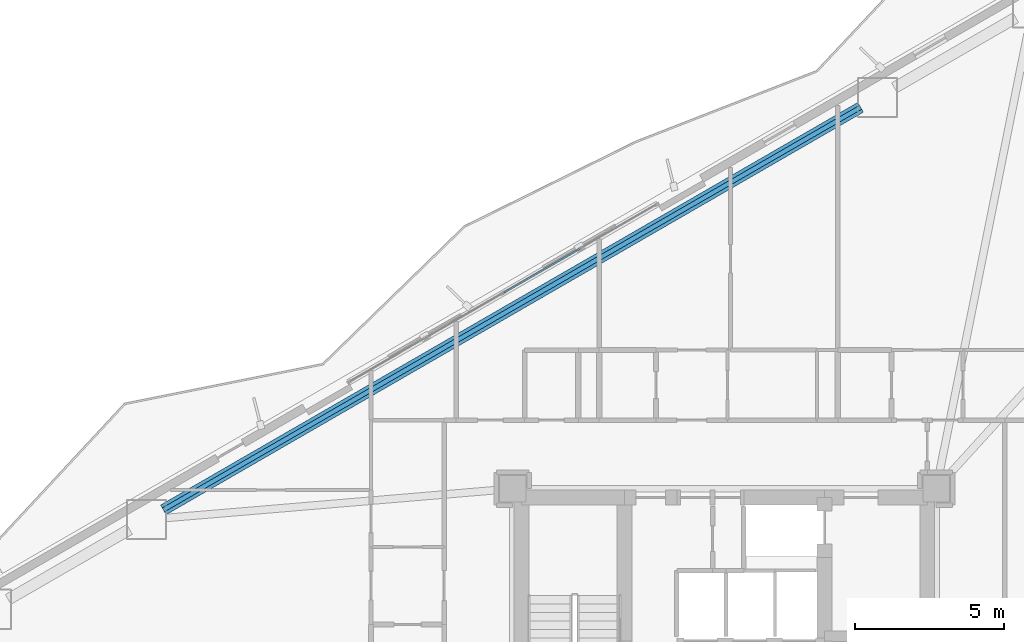
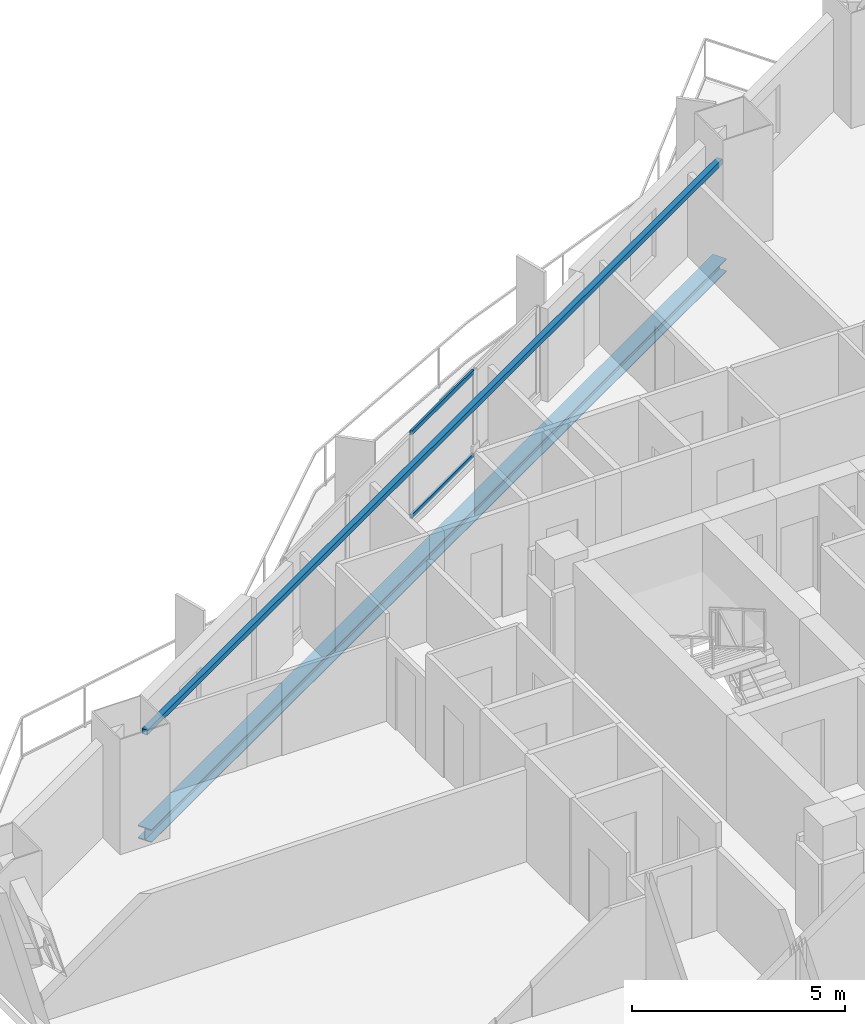
# One storey, part 8 of 18: 2 beams, 2 members, 1 element without a shape of its own.
"""IFC4 building model written with IfcOpenShell, lengths in metres."""

from ifc_helpers import new_model, si_unit, direction, frame, origin, origin_2d, place, context, subcontext, project, spatial, hollow_rectangle, i_section, extrude, material, layer, layer_set, material_profile, profile_set, type_object, element, aggregate, save


model = new_model("IFC4")

# Units and contexts
model_context = context("Model", 3, precision=1e-05, world=origin(), true_north=direction((0.0, 1.0)))
body_context = subcontext(model_context, "Body", "Model", "MODEL_VIEW")
ifc_project = project(units=[si_unit("LENGTHUNIT", "METRE"), si_unit("AREAUNIT", "SQUARE_METRE"), si_unit("VOLUMEUNIT", "CUBIC_METRE"), si_unit("PLANEANGLEUNIT", "RADIAN"), si_unit("MASSUNIT", "GRAM", prefix="KILO")], contexts=[model_context])

# Site, building, storey
site_placement = place(None, origin())
site = spatial("IfcSite", under=ifc_project, at=site_placement, CompositionType="ELEMENT")
building_placement = place(site_placement, origin())
building = spatial("IfcBuilding", under=site, at=building_placement, Name="Mersakhor Tower and Convention Hall", CompositionType="ELEMENT")
storey_placement = place(building_placement, frame((0.0, 0.0, 55.5)))
storey = spatial("IfcBuildingStorey", under=building, at=storey_placement, Name="L15", CompositionType="ELEMENT", Elevation=55.5)

# Beams
ifc_material_1 = material(Name="Steel S355", Category="steel")
ifc_material_profile_1 = material_profile(ifc_material_1, hollow_rectangle(XDim=0.14990234375, YDim=0.14990234375, WallThickness=0.010009765625, at=origin_2d()), Name="SHS 150x150x10")
ifc_profile_set_1 = profile_set([ifc_material_profile_1], Name="Steel S355")
beam_type_1 = type_object("IfcBeamType", Name="BM-GRT-SHS150", PredefinedType="USERDEFINED", material=ifc_profile_set_1)
beam_1_placement = place(storey_placement, frame((10.183837890625, 32.341064453125, 2.47998046875), z_axis=(0.866025970279, 0.499999018801, 0.0), x_axis=(-0.499999018801, 0.866025970279, 0.0)))
element("IfcBeam", 1, at=beam_1_placement, inside=storey, type_object=beam_type_1, Name="L15 Facade Support Girt GRT-F1", ObjectType="GIRT", PredefinedType="USERDEFINED", context=body_context, shape_type="SweptSolid", body=[
    extrude(hollow_rectangle(XDim=0.14990234375, YDim=0.14990234375, WallThickness=0.010009765625, at=origin_2d()), origin(), (0.0, 0.0, 1.0), 26.99951171875),
])
ifc_material_2 = material(Name="Steel S355", Category="steel")
ifc_material_profile_2 = material_profile(ifc_material_2, i_section(OverallWidth=0.374755859375, OverallDepth=0.37451171875, WebThickness=0.0166015625, FlangeThickness=0.027099609375, at=origin_2d()), Name="UC 356x368x202")
ifc_profile_set_2 = profile_set([ifc_material_profile_2], Name="Steel S355")
beam_type_2 = type_object("IfcBeamType", Name="BM-SPD-UC356", PredefinedType="SPANDREL", material=ifc_profile_set_2)
beam_2_placement = place(storey_placement, frame((10.183837890625, 32.341064453125, -0.447265625), z_axis=(0.866025970279, 0.499999018801, 0.0), x_axis=(-0.499999018801, 0.866025970279, 0.0)))
element("IfcBeam", 2, at=beam_2_placement, inside=storey, type_object=beam_type_2, Name="L15 Perimeter Spandrel Beam SPB-02", PredefinedType="SPANDREL", context=body_context, shape_type="SweptSolid", body=[
    extrude(i_section(OverallWidth=0.374755859375, OverallDepth=0.37451171875, WebThickness=0.0166015625, FlangeThickness=0.027099609375, at=origin_2d()), origin(), (0.0, 0.0, 1.0), 26.99951171875),
])

# Curtain wall, members
ifc_material_3 = material(Name="Dark solar low-E aluminium curtain wall", Category="aluminium")
ifc_layer = layer(ifc_material_3, 0.159912109375)
ifc_layer_set = layer_set([ifc_layer], Name="Dark solar low-E aluminium curtain wall")
curtain_wall_type = type_object("IfcCurtainWallType", Name="CW-SYS-01", PredefinedType="USERDEFINED", material=ifc_layer_set)
curtain_wall_placement = place(storey_placement, origin())
curtain_wall = element("IfcCurtainWall", 3, at=curtain_wall_placement, inside=storey, type_object=curtain_wall_type, Name="L15 Dark-Glass Curtain Wall F1-B2", ObjectType="CURTAIN WALL", PredefinedType="USERDEFINED")
ifc_material_4 = material(Name="Anodised aluminium EN AW-6063 T6", Category="aluminium")
ifc_material_profile_3 = material_profile(ifc_material_4, hollow_rectangle(XDim=0.06005859375, YDim=0.1201171875, WallThickness=0.0048828125, at=origin_2d()), Name="RHS 120x60x5")
ifc_profile_set_3 = profile_set([ifc_material_profile_3], Name="Anodised aluminium EN AW-6063 T6")
member_type = type_object("IfcMemberType", Name="CWT-120x60", PredefinedType="USERDEFINED", material=ifc_profile_set_3)
member_1_placement = place(storey_placement, frame((21.607421875, 39.629150390625, 0.22998046875), z_axis=(0.866015622527, 0.500016941252, 0.0), x_axis=(-0.500016941252, 0.866015622527, 0.0)))
member_1 = element("IfcMember", 4, at=member_1_placement, type_object=member_type, Name="CW-01 transom 3.1", ObjectType="TRANSOM", PredefinedType="USERDEFINED", context=body_context, shape_type="SweptSolid", body=[
    extrude(hollow_rectangle(XDim=0.06005859375, YDim=0.1201171875, WallThickness=0.0048828125, at=origin_2d()), origin(), (0.0, 0.0, 1.0), 2.91845703125),
])
member_2_placement = place(storey_placement, frame((21.607421875, 39.629150390625, 2.6298828125), z_axis=(0.866015622527, 0.500016941252, 0.0), x_axis=(-0.500016941252, 0.866015622527, 0.0)))
member_2 = element("IfcMember", 5, at=member_2_placement, type_object=member_type, Name="CW-01 transom 3.2", ObjectType="TRANSOM", PredefinedType="USERDEFINED", context=body_context, shape_type="SweptSolid", body=[
    extrude(hollow_rectangle(XDim=0.06005859375, YDim=0.1201171875, WallThickness=0.0048828125, at=origin_2d()), origin(), (0.0, 0.0, 1.0), 2.91845703125),
])
aggregate(curtain_wall, [member_1, member_2])

save(model, "model.ifc")
